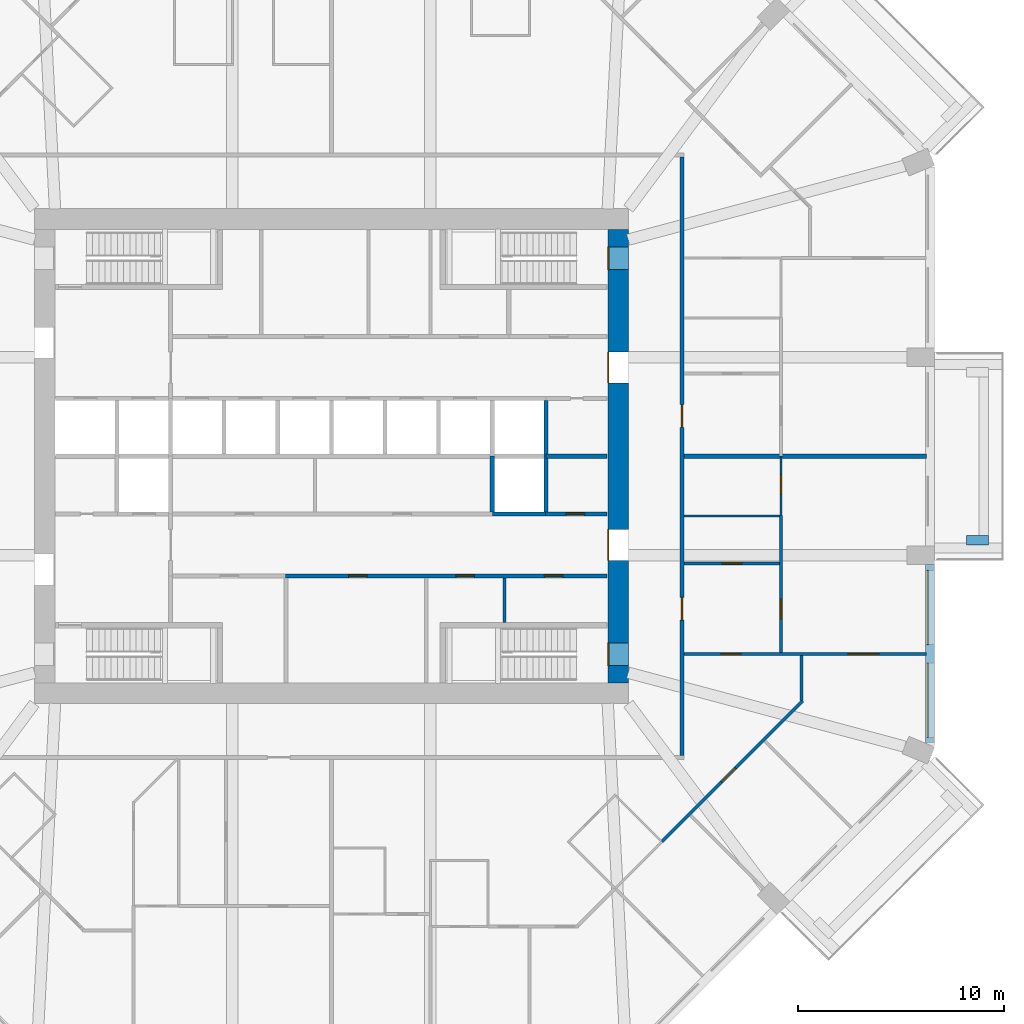
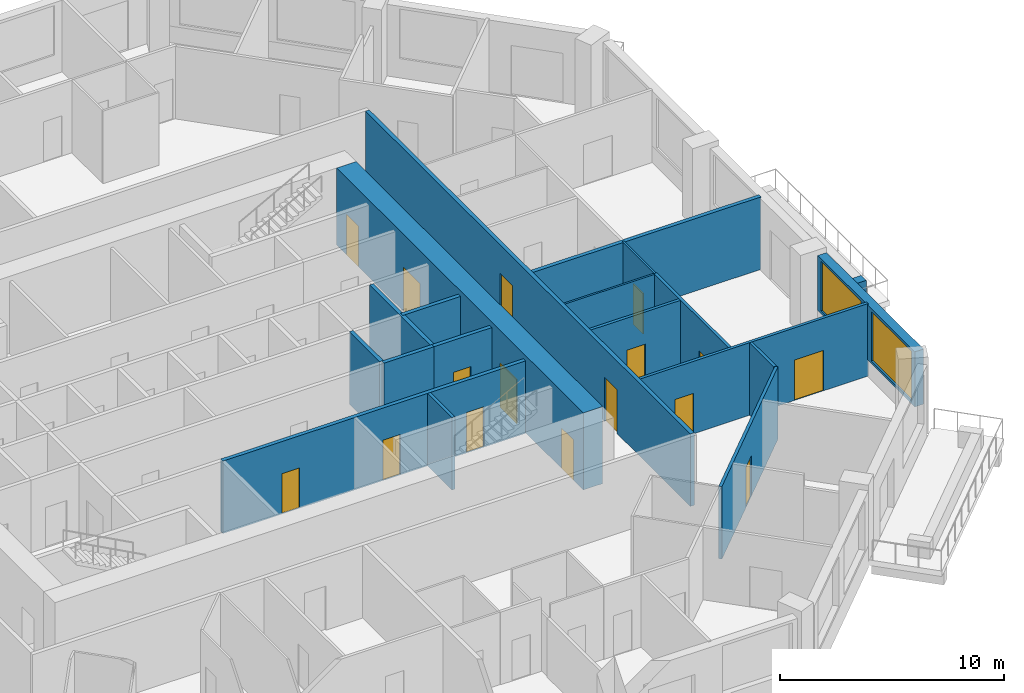
# One storey, part 6 of 13: 19 walls, 16 doors, 2 windows, 18 openings.
"""IFC4 building model written with IfcOpenShell, lengths in metres."""

from ifc_helpers import new_model, si_unit, direction, frame, frame_2d, origin, place, context, subcontext, project, spatial, rectangle, extrude, material, layer, layer_set, type_object, element, fill, save


model = new_model("IFC4")

# Units and contexts
model_context = context("Model", 3, precision=1e-05, world=origin(), true_north=direction((0.0, 1.0)))
body_context = subcontext(model_context, "Body", "Model", "MODEL_VIEW")
ifc_project = project(units=[si_unit("LENGTHUNIT", "METRE"), si_unit("AREAUNIT", "SQUARE_METRE"), si_unit("VOLUMEUNIT", "CUBIC_METRE"), si_unit("PLANEANGLEUNIT", "RADIAN"), si_unit("MASSUNIT", "GRAM", prefix="KILO")], contexts=[model_context])

# Site, building, storey
site_placement = place(None, origin())
site = spatial("IfcSite", under=ifc_project, at=site_placement, CompositionType="ELEMENT")
building_placement = place(site_placement, origin())
building = spatial("IfcBuilding", under=site, at=building_placement, Name="Msitu Wima Residences", CompositionType="ELEMENT")
storey_placement = place(building_placement, frame((0.0, 0.0, 38.10009765625)))
storey = spatial("IfcBuildingStorey", under=building, at=storey_placement, Name="L08", CompositionType="ELEMENT", Elevation=38.10009765625)

# Wall
ifc_material_1 = material(Name="Facing brick")
ifc_layer_1 = layer(ifc_material_1, 0.06494140625, Name="Facing brick")
ifc_material_2 = material(Name="Concrete C40/50", Category="concrete")
ifc_layer_2 = layer(ifc_material_2, 0.156005859375, Name="Concrete C40/50")
ifc_material_3 = material(Name="Waterproofing membrane")
ifc_layer_3 = layer(ifc_material_3, 0.00390625, Name="Waterproofing membrane")
ifc_material_4 = material(Name="Planting soil and planting")
ifc_layer_4 = layer(ifc_material_4, 0.22509765625, Name="Planting soil and planting")
ifc_layer_set_1 = layer_set([ifc_layer_1, ifc_layer_2, ifc_layer_3, ifc_layer_4], Name="Concrete C40/50")
wall_type_1 = type_object("IfcWallType", Name="Balcony planter PLANTER PL450", PredefinedType="USERDEFINED", material=ifc_layer_set_1)
wall_1_placement = place(storey_placement, frame((30.800048828125, -4.074951171875, 0.0), z_axis=(0.0, 0.0, 1.0), x_axis=(1.0, 0.0, 0.0)))
element("IfcWall", 1, at=wall_1_placement, inside=storey, type_object=wall_type_1, Name="Balcony planter E1 L08", ObjectType="PLANTER", PredefinedType="USERDEFINED", context=body_context, shape_type="SweptSolid", body=[
    extrude(rectangle(XDim=1.050048828125, YDim=0.449951171875, at=frame_2d((0.52490234375, 0.0))), origin(), (0.0, 0.0, 1.0), 0.89990234375),
])

# Wall, openings, windows
ifc_material_5 = material(Name="Brick (red buff mix)", Category="masonry")
ifc_layer_5 = layer(ifc_material_5, 0.449951171875)
ifc_layer_set_2 = layer_set([ifc_layer_5], Name="Brick (red buff mix)")
wall_type_2 = type_object("IfcWallType", Name="Brick infill wall BW450", PredefinedType="SOLIDWALL", material=ifc_layer_set_2)
wall_2_placement = place(storey_placement, frame((29.02490234375, -13.912841796875, 0.89990234375), z_axis=(0.0, 0.0, 1.0), x_axis=(0.0, 1.0, 0.0)))
wall_2 = element("IfcWall", 2, at=wall_2_placement, inside=storey, type_object=wall_type_2, Name="Brick infill wall L08 E0", PredefinedType="SOLIDWALL", context=body_context, shape_type="SweptSolid", body=[
    extrude(rectangle(XDim=8.662841796875, YDim=0.449951171875, at=frame_2d((4.33154296875, 0.0))), origin(), (0.0, 0.0, 1.0), 3.0),
])
opening_1_placement = place(wall_2_placement, frame((0.281494140625, 0.0, 0.14990234375)))
opening_1 = element("IfcOpeningElement", 3, at=opening_1_placement, cuts=wall_2, Name="Opening W08-10.001", PredefinedType="OPENING", context=body_context, shape_type="SweptSolid", body=[
    extrude(rectangle(XDim=3.60009765625, YDim=2.699951171875, at=frame_2d((1.800048828125, 1.35009765625))), frame((0.0, 0.23486328125, 0.0), z_axis=(0.0, -1.0, 0.0), x_axis=(1.0, 0.0, 0.0)), (0.0, 0.0, 1.0), 0.469970703125),
])
opening_2_placement = place(wall_2_placement, frame((4.781494140625, 0.0, 0.14990234375)))
opening_2 = element("IfcOpeningElement", 4, at=opening_2_placement, cuts=wall_2, Name="Opening W08-10.002", PredefinedType="OPENING", context=body_context, shape_type="SweptSolid", body=[
    extrude(rectangle(XDim=3.60009765625, YDim=2.699951171875, at=frame_2d((1.800048828125, 1.35009765625))), frame((0.0, 0.23486328125, 0.0), z_axis=(0.0, -1.0, 0.0), x_axis=(1.0, 0.0, 0.0)), (0.0, 0.0, 1.0), 0.469970703125),
])
ifc_material_6 = material(Name="Anodised aluminium, bronze finish, clear low-emissivity double glazing", Category="aluminium")
window_type = type_object("IfcWindowType", Name="Window W3600x2700", PartitioningType="DOUBLE_PANEL_VERTICAL", PredefinedType="WINDOW", material=ifc_material_6)
window_1_placement = place(opening_1_placement, origin())
window_1 = element("IfcWindow", 5, at=window_1_placement, inside=storey, type_object=window_type, Name="Window L08 E0.1", OverallHeight=2.699951171875, OverallWidth=3.60009765625, PartitioningType="SINGLE_PANEL", PredefinedType="WINDOW", context=body_context, shape_type="SweptSolid", body=[
    extrude(rectangle(XDim=3.60009765625, YDim=2.699951171875, at=frame_2d((1.800048828125, 1.35009765625))), frame((0.0, 0.135009765625, 0.0), z_axis=(0.0, -1.0, 0.0), x_axis=(1.0, 0.0, 0.0)), (0.0, 0.0, 1.0), 0.06005859375),
])
fill(opening_1, window_1)
window_2_placement = place(opening_2_placement, origin())
window_2 = element("IfcWindow", 6, at=window_2_placement, inside=storey, type_object=window_type, Name="Window L08 E0.2", OverallHeight=2.699951171875, OverallWidth=3.60009765625, PartitioningType="SINGLE_PANEL", PredefinedType="WINDOW", context=body_context, shape_type="SweptSolid", body=[
    extrude(rectangle(XDim=3.60009765625, YDim=2.699951171875, at=frame_2d((1.800048828125, 1.35009765625))), frame((0.0, 0.135009765625, 0.0), z_axis=(0.0, -1.0, 0.0), x_axis=(1.0, 0.0, 0.0)), (0.0, 0.0, 1.0), 0.06005859375),
])
fill(opening_2, window_2)

# Wall, openings, doors
ifc_material_7 = material(Name="Concrete C80/95", Category="concrete")
ifc_layer_6 = layer(ifc_material_7, 1.0)
ifc_layer_set_3 = layer_set([ifc_layer_6], Name="Concrete C80/95")
wall_type_3 = type_object("IfcWallType", Name="Core wall CW1000 C80/95", PredefinedType="SHEAR", material=ifc_layer_set_3)
wall_3_placement = place(storey_placement, frame((13.89990234375, -11.0, 0.0), z_axis=(0.0, 0.0, 1.0), x_axis=(0.0, 1.0, 0.0)))
wall_3 = element("IfcWall", 7, at=wall_3_placement, inside=storey, type_object=wall_type_3, Name="Core wall", PredefinedType="SHEAR", context=body_context, shape_type="SweptSolid", body=[
    extrude(rectangle(XDim=22.0, YDim=1.0, at=frame_2d((11.0, 0.0))), origin(), (0.0, 0.0, 1.0), 4.199951171875),
])
opening_3_placement = place(wall_3_placement, frame((20.050048828125, 0.0, 0.0)))
opening_3 = element("IfcOpeningElement", 8, at=opening_3_placement, cuts=wall_3, Name="Opening D08-10.039", PredefinedType="OPENING", context=body_context, shape_type="SweptSolid", body=[
    extrude(rectangle(XDim=1.10009765625, YDim=2.199951171875, at=frame_2d((0.550048828125, 1.10009765625))), frame((0.0, 0.510009765625, 0.0), z_axis=(0.0, -1.0, 0.0), x_axis=(1.0, 0.0, 0.0)), (0.0, 0.0, 1.0), 1.02001953125),
])
opening_4_placement = place(wall_3_placement, frame((0.85009765625, 0.0, 0.0)))
opening_4 = element("IfcOpeningElement", 9, at=opening_4_placement, cuts=wall_3, Name="Opening D08-10.040", PredefinedType="OPENING", context=body_context, shape_type="SweptSolid", body=[
    extrude(rectangle(XDim=1.10009765625, YDim=2.199951171875, at=frame_2d((0.550048828125, 1.10009765625))), frame((0.0, 0.510009765625, 0.0), z_axis=(0.0, -1.0, 0.0), x_axis=(1.0, 0.0, 0.0)), (0.0, 0.0, 1.0), 1.02001953125),
])
opening_5_placement = place(wall_3_placement, frame((14.550048828125, 0.0, 0.0)))
opening_5 = element("IfcOpeningElement", 10, at=opening_5_placement, cuts=wall_3, Name="Opening D08-10.029", PredefinedType="OPENING", context=body_context, shape_type="SweptSolid", body=[
    extrude(rectangle(XDim=1.5, YDim=2.39990234375, at=frame_2d((0.75, 1.199951171875))), frame((0.0, 0.510009765625, 0.0), z_axis=(0.0, -1.0, 0.0), x_axis=(1.0, 0.0, 0.0)), (0.0, 0.0, 1.0), 1.02001953125),
])
opening_6_placement = place(wall_3_placement, frame((5.949951171875, 0.0, 0.0)))
opening_6 = element("IfcOpeningElement", 11, at=opening_6_placement, cuts=wall_3, Name="Opening D08-10.030", PredefinedType="OPENING", context=body_context, shape_type="SweptSolid", body=[
    extrude(rectangle(XDim=1.5, YDim=2.39990234375, at=frame_2d((0.75, 1.199951171875))), frame((0.0, 0.510009765625, 0.0), z_axis=(0.0, -1.0, 0.0), x_axis=(1.0, 0.0, 0.0)), (0.0, 0.0, 1.0), 1.02001953125),
])
ifc_material_8 = material(Name="Steel framed glazed door, fire resisting", Category="steel")
door_type_1 = type_object("IfcDoorType", Name="Lobby door D07 1500x2400", OperationType="DOUBLE_DOOR_SINGLE_SWING", PredefinedType="DOOR", material=ifc_material_8)
door_1_placement = place(opening_5_placement, origin())
door_1 = element("IfcDoor", 12, at=door_1_placement, inside=storey, type_object=door_type_1, Name="Lobby door", OperationType="DOUBLE_DOOR_SINGLE_SWING", OverallHeight=2.39990234375, OverallWidth=1.5, PredefinedType="DOOR", context=body_context, shape_type="SweptSolid", body=[
    extrude(rectangle(XDim=1.5, YDim=2.39990234375, at=frame_2d((0.75, 1.199951171875))), frame((0.0, 0.4951171875, 0.0), z_axis=(0.0, -1.0, 0.0), x_axis=(1.0, 0.0, 0.0)), (0.0, 0.0, 1.0), 0.050048828125),
])
fill(opening_5, door_1)
door_2_placement = place(opening_6_placement, origin())
door_2 = element("IfcDoor", 13, at=door_2_placement, inside=storey, type_object=door_type_1, Name="Lobby door", OperationType="DOUBLE_DOOR_SINGLE_SWING", OverallHeight=2.39990234375, OverallWidth=1.5, PredefinedType="DOOR", context=body_context, shape_type="SweptSolid", body=[
    extrude(rectangle(XDim=1.5, YDim=2.39990234375, at=frame_2d((0.75, 1.199951171875))), frame((0.0, 0.4951171875, 0.0), z_axis=(0.0, -1.0, 0.0), x_axis=(1.0, 0.0, 0.0)), (0.0, 0.0, 1.0), 0.050048828125),
])
fill(opening_6, door_2)
ifc_material_9 = material(Name="Steel door, fire resisting, panic bar", Category="steel")
door_type_2 = type_object("IfcDoorType", Name="Stair door D06 1100x2200", OperationType="SINGLE_SWING_LEFT", PredefinedType="DOOR", material=ifc_material_9)
door_3_placement = place(opening_3_placement, origin())
door_3 = element("IfcDoor", 14, at=door_3_placement, inside=storey, type_object=door_type_2, Name="Stair door", OperationType="SINGLE_SWING_LEFT", OverallHeight=2.199951171875, OverallWidth=1.10009765625, PredefinedType="DOOR", context=body_context, shape_type="SweptSolid", body=[
    extrude(rectangle(XDim=1.10009765625, YDim=2.199951171875, at=frame_2d((0.550048828125, 1.10009765625))), frame((0.0, 0.4951171875, 0.0), z_axis=(0.0, -1.0, 0.0), x_axis=(1.0, 0.0, 0.0)), (0.0, 0.0, 1.0), 0.050048828125),
])
fill(opening_3, door_3)
door_4_placement = place(opening_4_placement, origin())
door_4 = element("IfcDoor", 15, at=door_4_placement, inside=storey, type_object=door_type_2, Name="Stair door", OperationType="SINGLE_SWING_RIGHT", OverallHeight=2.199951171875, OverallWidth=1.10009765625, PredefinedType="DOOR", context=body_context, shape_type="SweptSolid", body=[
    extrude(rectangle(XDim=1.10009765625, YDim=2.199951171875, at=frame_2d((0.550048828125, 1.10009765625))), frame((0.0, 0.4951171875, 0.0), z_axis=(0.0, -1.0, 0.0), x_axis=(1.0, 0.0, 0.0)), (0.0, 0.0, 1.0), 0.050048828125),
])
fill(opening_4, door_4)

ifc_material_10 = material(Name="Plaster")
ifc_layer_7 = layer(ifc_material_10, 0.011962890625, Name="Plaster")
ifc_material_11 = material(Name="Concrete blockwork", Category="masonry")
ifc_layer_8 = layer(ifc_material_11, 0.176025390625, Name="Concrete blockwork")
ifc_layer_9 = layer(ifc_material_10, 0.011962890625, Name="Plaster")
ifc_layer_set_4 = layer_set([ifc_layer_7, ifc_layer_8, ifc_layer_9], Name="Concrete blockwork")
wall_type_4 = type_object("IfcWallType", Name="Corridor wall FW200", PredefinedType="PARTITIONING", material=ifc_layer_set_4)
wall_4_placement = place(storey_placement, frame((-2.219970703125, -5.800048828125, 0.0), z_axis=(0.0, 0.0, 1.0), x_axis=(1.0, 0.0, 0.0)))
wall_4 = element("IfcWall", 16, at=wall_4_placement, inside=storey, type_object=wall_type_4, Name="Corridor wall", PredefinedType="PARTITIONING", context=body_context, shape_type="SweptSolid", body=[
    extrude(rectangle(XDim=15.590087890625, YDim=0.199951171875, at=frame_2d((7.794921875, 0.0))), origin(), (0.0, 0.0, 1.0), 3.949951171875),
])
opening_7_placement = place(wall_4_placement, frame((3.050048828125, 0.0, 0.0)))
opening_7 = element("IfcOpeningElement", 17, at=opening_7_placement, cuts=wall_4, Name="Opening D08-10.026", PredefinedType="OPENING", context=body_context, shape_type="SweptSolid", body=[
    extrude(rectangle(XDim=0.89990234375, YDim=2.199951171875, at=frame_2d((0.449951171875, 1.10009765625))), frame((0.0, 0.10986328125, 0.0), z_axis=(0.0, -1.0, 0.0), x_axis=(1.0, 0.0, 0.0)), (0.0, 0.0, 1.0), 0.219970703125),
])
opening_8_placement = place(wall_4_placement, frame((8.25, 0.0, 0.0)))
opening_8 = element("IfcOpeningElement", 18, at=opening_8_placement, cuts=wall_4, Name="Opening D08-10.027", PredefinedType="OPENING", context=body_context, shape_type="SweptSolid", body=[
    extrude(rectangle(XDim=0.89990234375, YDim=2.199951171875, at=frame_2d((0.449951171875, 1.10009765625))), frame((0.0, 0.10986328125, 0.0), z_axis=(0.0, -1.0, 0.0), x_axis=(1.0, 0.0, 0.0)), (0.0, 0.0, 1.0), 0.219970703125),
])
opening_9_placement = place(wall_4_placement, frame((12.550048828125, 0.0, 0.0)))
opening_9 = element("IfcOpeningElement", 19, at=opening_9_placement, cuts=wall_4, Name="Opening D08-10.028", PredefinedType="OPENING", context=body_context, shape_type="SweptSolid", body=[
    extrude(rectangle(XDim=0.89990234375, YDim=2.199951171875, at=frame_2d((0.449951171875, 1.10009765625))), frame((0.0, 0.10986328125, 0.0), z_axis=(0.0, -1.0, 0.0), x_axis=(1.0, 0.0, 0.0)), (0.0, 0.0, 1.0), 0.219970703125),
])
ifc_material_12 = material(Name="Timber flush door", Category="wood")
door_type_3 = type_object("IfcDoorType", Name="Service door D05 900x2200", OperationType="SINGLE_SWING_LEFT", PredefinedType="DOOR", material=ifc_material_12)
door_5_placement = place(opening_7_placement, origin())
door_5 = element("IfcDoor", 20, at=door_5_placement, inside=storey, type_object=door_type_3, Name="Service door", OperationType="SINGLE_SWING_LEFT", OverallHeight=2.199951171875, OverallWidth=0.89990234375, PredefinedType="DOOR", context=body_context, shape_type="SweptSolid", body=[
    extrude(rectangle(XDim=0.89990234375, YDim=2.199951171875, at=frame_2d((0.449951171875, 1.10009765625))), frame((0.0, 0.02490234375, 0.0), z_axis=(0.0, -1.0, 0.0), x_axis=(1.0, 0.0, 0.0)), (0.0, 0.0, 1.0), 0.050048828125),
])
fill(opening_7, door_5)
door_6_placement = place(opening_8_placement, origin())
door_6 = element("IfcDoor", 21, at=door_6_placement, inside=storey, type_object=door_type_3, Name="Service door", OperationType="SINGLE_SWING_RIGHT", OverallHeight=2.199951171875, OverallWidth=0.89990234375, PredefinedType="DOOR", context=body_context, shape_type="SweptSolid", body=[
    extrude(rectangle(XDim=0.89990234375, YDim=2.199951171875, at=frame_2d((0.449951171875, 1.10009765625))), frame((0.0, 0.02490234375, 0.0), z_axis=(0.0, -1.0, 0.0), x_axis=(1.0, 0.0, 0.0)), (0.0, 0.0, 1.0), 0.050048828125),
])
fill(opening_8, door_6)
door_7_placement = place(opening_9_placement, origin())
door_7 = element("IfcDoor", 22, at=door_7_placement, inside=storey, type_object=door_type_3, Name="Service door", OperationType="SINGLE_SWING_RIGHT", OverallHeight=2.199951171875, OverallWidth=0.89990234375, PredefinedType="DOOR", context=body_context, shape_type="SweptSolid", body=[
    extrude(rectangle(XDim=0.89990234375, YDim=2.199951171875, at=frame_2d((0.449951171875, 1.10009765625))), frame((0.0, 0.02490234375, 0.0), z_axis=(0.0, -1.0, 0.0), x_axis=(1.0, 0.0, 0.0)), (0.0, 0.0, 1.0), 0.050048828125),
])
fill(opening_9, door_7)

wall_5_placement = place(storey_placement, frame((17.0, -14.5, 0.0), z_axis=(0.0, 0.0, 1.0), x_axis=(0.0, 1.0, 0.0)))
wall_5 = element("IfcWall", 23, at=wall_5_placement, inside=storey, type_object=wall_type_4, Name="Corridor wall", PredefinedType="PARTITIONING", context=body_context, shape_type="SweptSolid", body=[
    extrude(rectangle(XDim=29.0, YDim=0.199951171875, at=frame_2d((14.5, 0.0))), origin(), (0.0, 0.0, 1.0), 3.949951171875),
])
opening_10_placement = place(wall_5_placement, frame((15.89990234375, 0.0, 0.0)))
opening_10 = element("IfcOpeningElement", 24, at=opening_10_placement, cuts=wall_5, Name="Opening D08-10.011", PredefinedType="OPENING", context=body_context, shape_type="SweptSolid", body=[
    extrude(rectangle(XDim=1.10009765625, YDim=2.39990234375, at=frame_2d((0.550048828125, 1.199951171875))), frame((0.0, 0.10986328125, 0.0), z_axis=(0.0, -1.0, 0.0), x_axis=(1.0, 0.0, 0.0)), (0.0, 0.0, 1.0), 0.219970703125),
])
opening_11_placement = place(wall_5_placement, frame((6.550048828125, 0.0, 0.0)))
opening_11 = element("IfcOpeningElement", 25, at=opening_11_placement, cuts=wall_5, Name="Opening D08-10.014", PredefinedType="OPENING", context=body_context, shape_type="SweptSolid", body=[
    extrude(rectangle(XDim=1.10009765625, YDim=2.39990234375, at=frame_2d((0.550048828125, 1.199951171875))), frame((0.0, 0.10986328125, 0.0), z_axis=(0.0, -1.0, 0.0), x_axis=(1.0, 0.0, 0.0)), (0.0, 0.0, 1.0), 0.219970703125),
])
ifc_material_13 = material(Name="Timber flush door, fire resisting, self-closing", Category="wood")
door_type_4 = type_object("IfcDoorType", Name="Flat entrance door D01 1100x2400", OperationType="SINGLE_SWING_LEFT", PredefinedType="DOOR", material=ifc_material_13)
door_8_placement = place(opening_10_placement, origin())
door_8 = element("IfcDoor", 26, at=door_8_placement, inside=storey, type_object=door_type_4, Name="Flat entrance door", OperationType="SINGLE_SWING_RIGHT", OverallHeight=2.39990234375, OverallWidth=1.10009765625, PredefinedType="DOOR", context=body_context, shape_type="SweptSolid", body=[
    extrude(rectangle(XDim=1.10009765625, YDim=2.39990234375, at=frame_2d((0.550048828125, 1.199951171875))), frame((0.0, 0.02490234375, 0.0), z_axis=(0.0, -1.0, 0.0), x_axis=(1.0, 0.0, 0.0)), (0.0, 0.0, 1.0), 0.050048828125),
])
fill(opening_10, door_8)
door_9_placement = place(opening_11_placement, origin())
door_9 = element("IfcDoor", 27, at=door_9_placement, inside=storey, type_object=door_type_4, Name="Flat entrance door", OperationType="SINGLE_SWING_RIGHT", OverallHeight=2.39990234375, OverallWidth=1.10009765625, PredefinedType="DOOR", context=body_context, shape_type="SweptSolid", body=[
    extrude(rectangle(XDim=1.10009765625, YDim=2.39990234375, at=frame_2d((0.550048828125, 1.199951171875))), frame((0.0, 0.02490234375, 0.0), z_axis=(0.0, -1.0, 0.0), x_axis=(1.0, 0.0, 0.0)), (0.0, 0.0, 1.0), 0.050048828125),
])
fill(opening_11, door_9)

# Wall
ifc_layer_10 = layer(ifc_material_10, 0.011962890625, Name="Plaster")
ifc_layer_11 = layer(ifc_material_11, 0.1259765625, Name="Concrete blockwork")
ifc_layer_12 = layer(ifc_material_10, 0.011962890625, Name="Plaster")
ifc_layer_set_5 = layer_set([ifc_layer_10, ifc_layer_11, ifc_layer_12], Name="Concrete blockwork")
wall_type_5 = type_object("IfcWallType", Name="Partition PW150", PredefinedType="PARTITIONING", material=ifc_layer_set_5)
wall_6_placement = place(storey_placement, frame((8.39990234375, -8.074951171875, 0.0), z_axis=(0.0, 0.0, 1.0), x_axis=(0.0, 1.0, 0.0)))
element("IfcWall", 28, at=wall_6_placement, inside=storey, type_object=wall_type_5, Name="Partition", PredefinedType="PARTITIONING", context=body_context, shape_type="SweptSolid", body=[
    extrude(rectangle(XDim=2.175048828125, YDim=0.14990234375, at=frame_2d((1.08740234375, 0.0))), origin(), (0.0, 0.0, 1.0), 3.949951171875),
])

# Wall, opening, door
wall_7_placement = place(storey_placement, frame((16.02001953125, -18.694580078125, 0.0), z_axis=(0.0, 0.0, 1.0), x_axis=(0.707106781187, 0.707106781187, 0.0)))
wall_7 = element("IfcWall", 29, at=wall_7_placement, inside=storey, type_object=wall_type_5, Name="Partition", PredefinedType="PARTITIONING", context=body_context, shape_type="SweptSolid", body=[
    extrude(rectangle(XDim=9.663330078125, YDim=0.14990234375, at=frame_2d((4.83154296875, 0.0))), origin(), (0.0, 0.0, 1.0), 3.949951171875),
])
opening_12_placement = place(wall_7_placement, frame((4.10009765625, 0.0, 0.0)))
opening_12 = element("IfcOpeningElement", 30, at=opening_12_placement, cuts=wall_7, Name="Opening D08-10.072", PredefinedType="OPENING", context=body_context, shape_type="SweptSolid", body=[
    extrude(rectangle(XDim=0.949951171875, YDim=2.199951171875, at=frame_2d((0.47509765625, 1.10009765625))), frame((0.0, 0.0849609375, 0.0), z_axis=(0.0, -1.0, 0.0), x_axis=(1.0, 0.0, 0.0)), (0.0, 0.0, 1.0), 0.169921875),
])
door_type_5 = type_object("IfcDoorType", Name="Room door D12 950x2200", OperationType="SINGLE_SWING_LEFT", PredefinedType="DOOR", material=ifc_material_12)
door_10_placement = place(opening_12_placement, origin())
door_10 = element("IfcDoor", 31, at=door_10_placement, inside=storey, type_object=door_type_5, Name="Room door", OperationType="SINGLE_SWING_LEFT", OverallHeight=2.199951171875, OverallWidth=0.949951171875, PredefinedType="DOOR", context=body_context, shape_type="SweptSolid", body=[
    extrude(rectangle(XDim=0.949951171875, YDim=2.199951171875, at=frame_2d((0.47509765625, 1.10009765625))), frame((0.0, 0.02490234375, 0.0), z_axis=(0.0, -1.0, 0.0), x_axis=(1.0, 0.0, 0.0)), (0.0, 0.0, 1.0), 0.050048828125),
])
fill(opening_12, door_10)

# Wall, openings, doors
wall_8_placement = place(storey_placement, frame((17.10009765625, -9.60009765625, 0.0), z_axis=(0.0, 0.0, 1.0), x_axis=(1.0, 0.0, 0.0)))
wall_8 = element("IfcWall", 32, at=wall_8_placement, inside=storey, type_object=wall_type_5, Name="Partition", PredefinedType="PARTITIONING", context=body_context, shape_type="SweptSolid", body=[
    extrude(rectangle(XDim=11.7548828125, YDim=0.14990234375, at=frame_2d((5.87744140625, 0.0))), origin(), (0.0, 0.0, 1.0), 3.949951171875),
])
opening_13_placement = place(wall_8_placement, frame((1.800048828125, 0.0, 0.0)))
opening_13 = element("IfcOpeningElement", 33, at=opening_13_placement, cuts=wall_8, Name="Opening D08-10.071", PredefinedType="OPENING", context=body_context, shape_type="SweptSolid", body=[
    extrude(rectangle(XDim=0.949951171875, YDim=2.199951171875, at=frame_2d((0.47509765625, 1.10009765625))), frame((0.0, 0.0849609375, 0.0), z_axis=(0.0, -1.0, 0.0), x_axis=(1.0, 0.0, 0.0)), (0.0, 0.0, 1.0), 0.169921875),
])
opening_14_placement = place(wall_8_placement, frame((7.949951171875, 0.0, 0.0)))
opening_14 = element("IfcOpeningElement", 34, at=opening_14_placement, cuts=wall_8, Name="Opening D08-10.080", PredefinedType="OPENING", context=body_context, shape_type="SweptSolid", body=[
    extrude(rectangle(XDim=1.5, YDim=2.199951171875, at=frame_2d((0.75, 1.10009765625))), frame((0.0, 0.0849609375, 0.0), z_axis=(0.0, -1.0, 0.0), x_axis=(1.0, 0.0, 0.0)), (0.0, 0.0, 1.0), 0.169921875),
])
ifc_material_14 = material(Name="Timber double door", Category="wood")
door_type_6 = type_object("IfcDoorType", Name="Double door D04 1500x2200", OperationType="DOUBLE_DOOR_SINGLE_SWING", PredefinedType="DOOR", material=ifc_material_14)
door_11_placement = place(opening_14_placement, origin())
door_11 = element("IfcDoor", 35, at=door_11_placement, inside=storey, type_object=door_type_6, Name="Double door", OperationType="DOUBLE_DOOR_SINGLE_SWING", OverallHeight=2.199951171875, OverallWidth=1.5, PredefinedType="DOOR", context=body_context, shape_type="SweptSolid", body=[
    extrude(rectangle(XDim=1.5, YDim=2.199951171875, at=frame_2d((0.75, 1.10009765625))), frame((0.0, 0.02490234375, 0.0), z_axis=(0.0, -1.0, 0.0), x_axis=(1.0, 0.0, 0.0)), (0.0, 0.0, 1.0), 0.050048828125),
])
fill(opening_14, door_11)
door_12_placement = place(opening_13_placement, origin())
door_12 = element("IfcDoor", 36, at=door_12_placement, inside=storey, type_object=door_type_5, Name="Room door", OperationType="SINGLE_SWING_RIGHT", OverallHeight=2.199951171875, OverallWidth=0.949951171875, PredefinedType="DOOR", context=body_context, shape_type="SweptSolid", body=[
    extrude(rectangle(XDim=0.949951171875, YDim=2.199951171875, at=frame_2d((0.47509765625, 1.10009765625))), frame((0.0, 0.02490234375, 0.0), z_axis=(0.0, -1.0, 0.0), x_axis=(1.0, 0.0, 0.0)), (0.0, 0.0, 1.0), 0.050048828125),
])
fill(opening_13, door_12)

# Wall, opening, door
wall_9_placement = place(storey_placement, frame((17.10009765625, -5.199951171875, 0.0), z_axis=(0.0, 0.0, 1.0), x_axis=(1.0, 0.0, 0.0)))
wall_9 = element("IfcWall", 37, at=wall_9_placement, inside=storey, type_object=wall_type_5, Name="Partition", PredefinedType="PARTITIONING", context=body_context, shape_type="SweptSolid", body=[
    extrude(rectangle(XDim=4.625, YDim=0.14990234375, at=frame_2d((2.3125, 0.0))), origin(), (0.0, 0.0, 1.0), 3.949951171875),
])
opening_15_placement = place(wall_9_placement, frame((1.85009765625, 0.0, 0.0)))
opening_15 = element("IfcOpeningElement", 38, at=opening_15_placement, cuts=wall_9, Name="Opening D08-10.077", PredefinedType="OPENING", context=body_context, shape_type="SweptSolid", body=[
    extrude(rectangle(XDim=0.949951171875, YDim=2.199951171875, at=frame_2d((0.47509765625, 1.10009765625))), frame((0.0, 0.0849609375, 0.0), z_axis=(0.0, -1.0, 0.0), x_axis=(1.0, 0.0, 0.0)), (0.0, 0.0, 1.0), 0.169921875),
])
door_13_placement = place(opening_15_placement, origin())
door_13 = element("IfcDoor", 39, at=door_13_placement, inside=storey, type_object=door_type_5, Name="Room door", OperationType="SINGLE_SWING_RIGHT", OverallHeight=2.199951171875, OverallWidth=0.949951171875, PredefinedType="DOOR", context=body_context, shape_type="SweptSolid", body=[
    extrude(rectangle(XDim=0.949951171875, YDim=2.199951171875, at=frame_2d((0.47509765625, 1.10009765625))), frame((0.0, 0.02490234375, 0.0), z_axis=(0.0, -1.0, 0.0), x_axis=(1.0, 0.0, 0.0)), (0.0, 0.0, 1.0), 0.050048828125),
])
fill(opening_15, door_13)

wall_10_placement = place(storey_placement, frame((21.800048828125, -9.52490234375, 0.0), z_axis=(0.0, 0.0, 1.0), x_axis=(0.0, 1.0, 0.0)))
wall_10 = element("IfcWall", 40, at=wall_10_placement, inside=storey, type_object=wall_type_5, Name="Partition", PredefinedType="PARTITIONING", context=body_context, shape_type="SweptSolid", body=[
    extrude(rectangle(XDim=6.64501953125, YDim=0.14990234375, at=frame_2d((3.322509765625, 0.0))), origin(), (0.0, 0.0, 1.0), 3.949951171875),
])
opening_16_placement = place(wall_10_placement, frame((1.64990234375, 0.0, 0.0)))
opening_16 = element("IfcOpeningElement", 41, at=opening_16_placement, cuts=wall_10, Name="Opening D08-10.073", PredefinedType="OPENING", context=body_context, shape_type="SweptSolid", body=[
    extrude(rectangle(XDim=0.949951171875, YDim=2.199951171875, at=frame_2d((0.47509765625, 1.10009765625))), frame((0.0, 0.0849609375, 0.0), z_axis=(0.0, -1.0, 0.0), x_axis=(1.0, 0.0, 0.0)), (0.0, 0.0, 1.0), 0.169921875),
])
door_14_placement = place(opening_16_placement, origin())
door_14 = element("IfcDoor", 42, at=door_14_placement, inside=storey, type_object=door_type_5, Name="Room door", OperationType="SINGLE_SWING_RIGHT", OverallHeight=2.199951171875, OverallWidth=0.949951171875, PredefinedType="DOOR", context=body_context, shape_type="SweptSolid", body=[
    extrude(rectangle(XDim=0.949951171875, YDim=2.199951171875, at=frame_2d((0.47509765625, 1.10009765625))), frame((0.0, 0.02490234375, 0.0), z_axis=(0.0, -1.0, 0.0), x_axis=(1.0, 0.0, 0.0)), (0.0, 0.0, 1.0), 0.050048828125),
])
fill(opening_16, door_14)

# Walls
wall_11_placement = place(storey_placement, frame((22.800048828125, -11.839599609375, 0.0), z_axis=(0.0, 0.0, 1.0), x_axis=(0.0, 1.0, 0.0)))
element("IfcWall", 43, at=wall_11_placement, inside=storey, type_object=wall_type_5, Name="Partition", PredefinedType="PARTITIONING", context=body_context, shape_type="SweptSolid", body=[
    extrude(rectangle(XDim=2.16455078125, YDim=0.14990234375, at=frame_2d((1.082275390625, 0.0))), origin(), (0.0, 0.0, 1.0), 3.949951171875),
])
ifc_layer_13 = layer(ifc_material_10, 0.011962890625, Name="Plaster")
ifc_material_15 = material(Name="Dense concrete blockwork", Category="masonry")
ifc_layer_14 = layer(ifc_material_15, 0.176025390625, Name="Dense concrete blockwork")
ifc_layer_15 = layer(ifc_material_10, 0.011962890625, Name="Plaster")
ifc_layer_set_6 = layer_set([ifc_layer_13, ifc_layer_14, ifc_layer_15], Name="Dense concrete blockwork")
wall_type_6 = type_object("IfcWallType", Name="Party wall PW200", PredefinedType="PARTITIONING", material=ifc_layer_set_6)
wall_12_placement = place(storey_placement, frame((17.10009765625, 0.0, 0.0), z_axis=(0.0, 0.0, 1.0), x_axis=(1.0, 0.0, 0.0)))
element("IfcWall", 44, at=wall_12_placement, inside=storey, type_object=wall_type_6, Name="Party wall", PredefinedType="PARTITIONING", context=body_context, shape_type="SweptSolid", body=[
    extrude(rectangle(XDim=11.7548828125, YDim=0.199951171875, at=frame_2d((5.87744140625, 0.0))), origin(), (0.0, 0.0, 1.0), 3.949951171875),
])

# Wall, opening, door
ifc_layer_16 = layer(ifc_material_10, 0.011962890625, Name="Plaster")
ifc_material_16 = material(Name="Reinforced concrete blockwork", Category="masonry")
ifc_layer_17 = layer(ifc_material_16, 0.176025390625, Name="Reinforced concrete blockwork")
ifc_layer_18 = layer(ifc_material_10, 0.011962890625, Name="Plaster")
ifc_layer_set_7 = layer_set([ifc_layer_16, ifc_layer_17, ifc_layer_18], Name="Reinforced concrete blockwork")
wall_type_7 = type_object("IfcWallType", Name="Plant and riser wall PL200", PredefinedType="PARTITIONING", material=ifc_layer_set_7)
wall_13_placement = place(storey_placement, frame((10.3798828125, -2.800048828125, 0.0), z_axis=(0.0, 0.0, 1.0), x_axis=(1.0, 0.0, 0.0)))
wall_13 = element("IfcWall", 45, at=wall_13_placement, inside=storey, type_object=wall_type_7, Name="Plant and riser wall", PredefinedType="PARTITIONING", context=body_context, shape_type="SweptSolid", body=[
    extrude(rectangle(XDim=2.990234375, YDim=0.199951171875, at=frame_2d((1.4951171875, 0.0))), origin(), (0.0, 0.0, 1.0), 3.949951171875),
])
opening_17_placement = place(wall_13_placement, frame((1.0, 0.0, 0.0)))
opening_17 = element("IfcOpeningElement", 46, at=opening_17_placement, cuts=wall_13, Name="Opening D08-10.015", PredefinedType="OPENING", context=body_context, shape_type="SweptSolid", body=[
    extrude(rectangle(XDim=0.89990234375, YDim=2.199951171875, at=frame_2d((0.449951171875, 1.10009765625))), frame((0.0, 0.10986328125, 0.0), z_axis=(0.0, -1.0, 0.0), x_axis=(1.0, 0.0, 0.0)), (0.0, 0.0, 1.0), 0.219970703125),
])
door_15_placement = place(opening_17_placement, origin())
door_15 = element("IfcDoor", 47, at=door_15_placement, inside=storey, type_object=door_type_3, Name="Service door", OperationType="SINGLE_SWING_LEFT", OverallHeight=2.199951171875, OverallWidth=0.89990234375, PredefinedType="DOOR", context=body_context, shape_type="SweptSolid", body=[
    extrude(rectangle(XDim=0.89990234375, YDim=2.199951171875, at=frame_2d((0.449951171875, 1.10009765625))), frame((0.0, 0.02490234375, 0.0), z_axis=(0.0, -1.0, 0.0), x_axis=(1.0, 0.0, 0.0)), (0.0, 0.0, 1.0), 0.050048828125),
])
fill(opening_17, door_15)

# Walls
wall_14_placement = place(storey_placement, frame((10.39990234375, 0.0, 0.0), z_axis=(0.0, 0.0, 1.0), x_axis=(1.0, 0.0, 0.0)))
element("IfcWall", 48, at=wall_14_placement, inside=storey, type_object=wall_type_7, Name="Plant and riser wall", PredefinedType="PARTITIONING", context=body_context, shape_type="SweptSolid", body=[
    extrude(rectangle(XDim=2.97021484375, YDim=0.199951171875, at=frame_2d((1.485107421875, 0.0))), origin(), (0.0, 0.0, 1.0), 3.949951171875),
])
ifc_material_17 = material(Name="Fire-rated board")
ifc_layer_19 = layer(ifc_material_17, 0.02490234375, Name="Fire-rated board")
ifc_material_18 = material(Name="Light-gauge stud framing with mineral wool")
ifc_layer_20 = layer(ifc_material_18, 0.14990234375, Name="Light-gauge stud framing with mineral wool")
ifc_layer_21 = layer(ifc_material_17, 0.02490234375, Name="Fire-rated board")
ifc_layer_set_8 = layer_set([ifc_layer_19, ifc_layer_20, ifc_layer_21], Name="Light-gauge stud framing with mineral wool")
wall_type_8 = type_object("IfcWallType", Name="Shaft wall SH200", PredefinedType="PARTITIONING", material=ifc_layer_set_8)
wall_15_placement = place(storey_placement, frame((7.800048828125, -2.699951171875, 0.0), z_axis=(0.0, 0.0, 1.0), x_axis=(0.0, 1.0, 0.0)))
element("IfcWall", 49, at=wall_15_placement, inside=storey, type_object=wall_type_8, Name="Shaft wall", PredefinedType="PARTITIONING", context=body_context, shape_type="SweptSolid", body=[
    extrude(rectangle(XDim=2.699951171875, YDim=0.199951171875, at=frame_2d((1.35009765625, 0.0))), origin(), (0.0, 0.0, 1.0), 3.949951171875),
])
wall_16_placement = place(storey_placement, frame((7.820068359375, -2.800048828125, 0.0), z_axis=(0.0, 0.0, 1.0), x_axis=(1.0, 0.0, 0.0)))
element("IfcWall", 50, at=wall_16_placement, inside=storey, type_object=wall_type_8, Name="Shaft wall", PredefinedType="PARTITIONING", context=body_context, shape_type="SweptSolid", body=[
    extrude(rectangle(XDim=2.559814453125, YDim=0.199951171875, at=frame_2d((1.27978515625, 0.0))), origin(), (0.0, 0.0, 1.0), 3.949951171875),
])
wall_17_placement = place(storey_placement, frame((10.39990234375, -2.699951171875, 0.0), z_axis=(0.0, 0.0, 1.0), x_axis=(0.0, 1.0, 0.0)))
element("IfcWall", 51, at=wall_17_placement, inside=storey, type_object=wall_type_8, Name="Shaft wall", PredefinedType="PARTITIONING", context=body_context, shape_type="SweptSolid", body=[
    extrude(rectangle(XDim=5.39990234375, YDim=0.199951171875, at=frame_2d((2.699951171875, 0.0))), origin(), (0.0, 0.0, 1.0), 3.949951171875),
])
ifc_material_19 = material(Name="Ceramic tiles")
ifc_layer_22 = layer(ifc_material_19, 0.008056640625, Name="Ceramic tiles")
ifc_material_20 = material(Name="Moisture-resistant board")
ifc_layer_23 = layer(ifc_material_20, 0.012451171875, Name="Moisture-resistant board")
ifc_layer_24 = layer(ifc_material_18, 0.06689453125, Name="Light-gauge stud framing with mineral wool")
ifc_layer_25 = layer(ifc_material_20, 0.012451171875, Name="Moisture-resistant board")
ifc_layer_set_9 = layer_set([ifc_layer_22, ifc_layer_23, ifc_layer_24, ifc_layer_25], Name="Light-gauge stud framing with mineral wool")
wall_type_9 = type_object("IfcWallType", Name="Wet wall PW100", PredefinedType="PARTITIONING", material=ifc_layer_set_9)
wall_18_placement = place(storey_placement, frame((17.10009765625, -2.89990234375, 0.0), z_axis=(0.0, 0.0, 1.0), x_axis=(1.0, 0.0, 0.0)))
element("IfcWall", 52, at=wall_18_placement, inside=storey, type_object=wall_type_9, Name="Wet wall", PredefinedType="PARTITIONING", context=body_context, shape_type="SweptSolid", body=[
    extrude(rectangle(XDim=4.625, YDim=0.10009765625, at=frame_2d((2.3125, 0.0))), origin(), (0.0, 0.0, 1.0), 3.949951171875),
])

# Wall, opening, door
wall_19_placement = place(storey_placement, frame((21.800048828125, -2.8798828125, 0.0), z_axis=(0.0, 0.0, 1.0), x_axis=(0.0, 1.0, 0.0)))
wall_19 = element("IfcWall", 53, at=wall_19_placement, inside=storey, type_object=wall_type_9, Name="Wet wall", PredefinedType="PARTITIONING", context=body_context, shape_type="SweptSolid", body=[
    extrude(rectangle(XDim=2.8798828125, YDim=0.10009765625, at=frame_2d((1.43994140625, 0.0))), origin(), (0.0, 0.0, 1.0), 3.949951171875),
])
opening_18_placement = place(wall_19_placement, frame((1.050048828125, 0.0, 0.0)))
opening_18 = element("IfcOpeningElement", 54, at=opening_18_placement, cuts=wall_19, Name="Opening D08-10.084", PredefinedType="OPENING", context=body_context, shape_type="SweptSolid", body=[
    extrude(rectangle(XDim=0.89990234375, YDim=2.199951171875, at=frame_2d((0.449951171875, 1.10009765625))), frame((0.0, 0.06005859375, 0.0), z_axis=(0.0, -1.0, 0.0), x_axis=(1.0, 0.0, 0.0)), (0.0, 0.0, 1.0), 0.1201171875),
])
ifc_material_21 = material(Name="Timber flush door, moisture resistant", Category="wood")
door_type_7 = type_object("IfcDoorType", Name="Bathroom door D03 900x2200", OperationType="SINGLE_SWING_LEFT", PredefinedType="DOOR", material=ifc_material_21)
door_16_placement = place(opening_18_placement, origin())
door_16 = element("IfcDoor", 55, at=door_16_placement, inside=storey, type_object=door_type_7, Name="Bathroom door", OperationType="SINGLE_SWING_RIGHT", OverallHeight=2.199951171875, OverallWidth=0.89990234375, PredefinedType="DOOR", context=body_context, shape_type="SweptSolid", body=[
    extrude(rectangle(XDim=0.89990234375, YDim=2.199951171875, at=frame_2d((0.449951171875, 1.10009765625))), frame((0.0, 0.02490234375, 0.0), z_axis=(0.0, -1.0, 0.0), x_axis=(1.0, 0.0, 0.0)), (0.0, 0.0, 1.0), 0.050048828125),
])
fill(opening_18, door_16)

save(model, "model.ifc")
